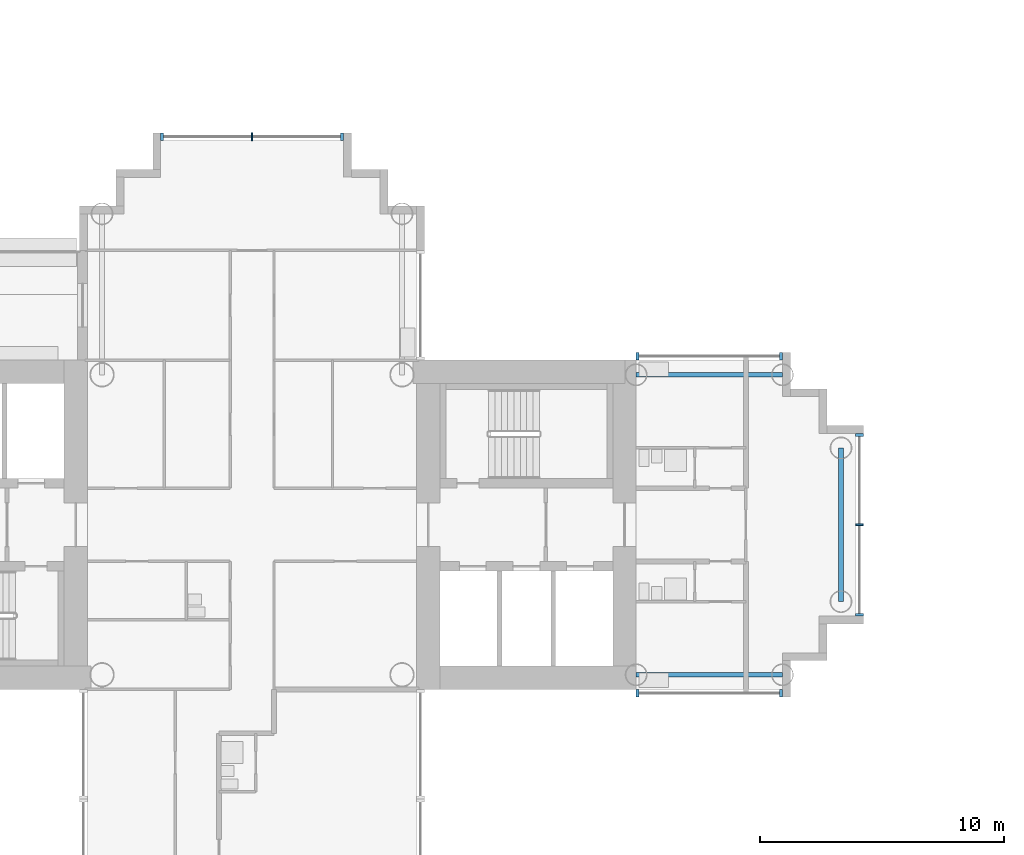
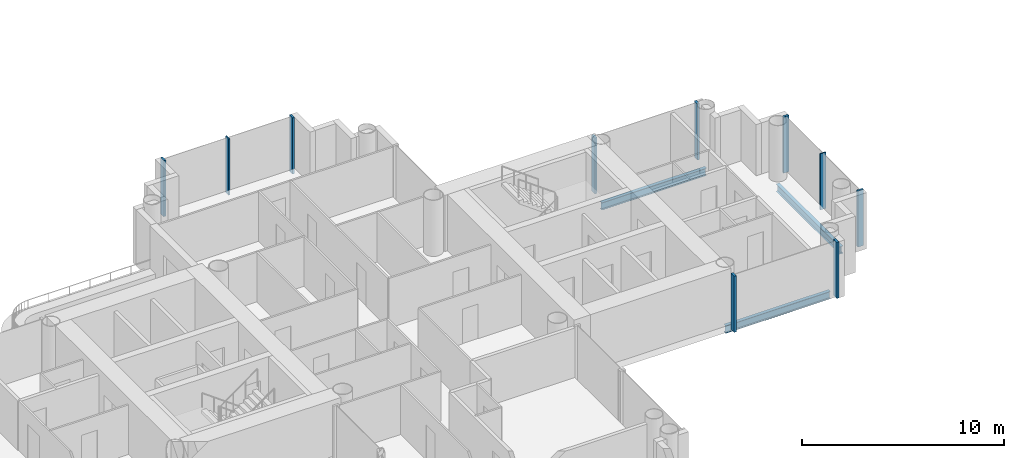
# One storey, part 4 of 21: 10 members, 3 beams, 4 elements without a shape of their own.
"""IFC4 building model written with IfcOpenShell, lengths in metres."""

from ifc_helpers import new_model, si_unit, direction, frame, origin, origin_2d, place, context, subcontext, project, spatial, rectangle, i_section, extrude, material, layer, layer_set, material_profile, profile_set, type_object, element, aggregate, save


model = new_model("IFC4")

# Units and contexts
model_context = context("Model", 3, precision=1e-05, world=origin(), true_north=direction((0.0, 1.0)))
body_context = subcontext(model_context, "Body", "Model", "MODEL_VIEW")
ifc_project = project(units=[si_unit("LENGTHUNIT", "METRE"), si_unit("AREAUNIT", "SQUARE_METRE"), si_unit("VOLUMEUNIT", "CUBIC_METRE"), si_unit("PLANEANGLEUNIT", "RADIAN"), si_unit("MASSUNIT", "GRAM", prefix="KILO")], contexts=[model_context])

# Site, building, storey
site_placement = place(None, origin())
site = spatial("IfcSite", under=ifc_project, at=site_placement, CompositionType="ELEMENT")
building_placement = place(site_placement, origin())
building = spatial("IfcBuilding", under=site, at=building_placement, Name="Ipe Terrace Towers", CompositionType="ELEMENT")
storey_placement = place(building_placement, frame((0.0, 0.0, 117.39990234375)))
storey = spatial("IfcBuildingStorey", under=building, at=storey_placement, Name="L32", CompositionType="ELEMENT", Elevation=117.39990234375)

# Beams
ifc_material_1 = material(Name="Steel S355", Category="steel")
ifc_material_profile_1 = material_profile(ifc_material_1, i_section(OverallWidth=0.199951171875, OverallDepth=0.449951171875, WebThickness=0.009033203125, FlangeThickness=0.013916015625, at=origin_2d()), Name="H-450x200x9x14")
ifc_profile_set_1 = profile_set([ifc_material_profile_1], Name="Steel S355")
beam_type = type_object("IfcBeamType", Name="H08 EDGE BEAM H-450x200x9x14", PredefinedType="BEAM", material=ifc_profile_set_1)
for number, where, z_axis, x_axis, name in (
    (1, (-20.25, -6.14990234375, -0.625), (1.0, 0.0, 0.0), (0.0, 1.0, 0.0), "Edge beam T1-EB-A01-A03"),
    (2, (-20.25, 6.14990234375, -0.625), (1.0, 0.0, 0.0), (0.0, 1.0, 0.0), "Edge beam T1-EB-A02-A04"),
):
    element("IfcBeam", number, at=place(storey_placement, frame(where, z_axis=z_axis, x_axis=x_axis)), inside=storey, type_object=beam_type, Name=name, PredefinedType="BEAM", context=body_context, shape_type="SweptSolid", body=[
        extrude(i_section(OverallWidth=0.199951171875, OverallDepth=0.449951171875, WebThickness=0.009033203125, FlangeThickness=0.013916015625, at=origin_2d()), origin(), (0.0, 0.0, 1.0), 6.0),
    ])
beam_placement = place(storey_placement, frame((-11.85009765625, -3.14990234375, -0.625), z_axis=(0.0, 1.0, 0.0), x_axis=(-1.0, 0.0, 0.0)))
element("IfcBeam", 3, at=beam_placement, inside=storey, type_object=beam_type, Name="Edge beam T1-EB-A05-A06", PredefinedType="BEAM", context=body_context, shape_type="SweptSolid", body=[
    extrude(i_section(OverallWidth=0.199951171875, OverallDepth=0.449951171875, WebThickness=0.009033203125, FlangeThickness=0.013916015625, at=origin_2d()), origin(), (0.0, 0.0, 1.0), 6.2998046875),
])

# Curtain wall, members
ifc_material_2 = material(Name="Aluminium alloy 6063-T6", Category="aluminium")
ifc_layer = layer(ifc_material_2, 0.320068359375)
ifc_layer_set = layer_set([ifc_layer], Name="TOWER UNITISED CURTAIN WALL")
curtain_wall_type = type_object("IfcCurtainWallType", Name="TOWER UNITISED CURTAIN WALL", PredefinedType="NOTDEFINED", material=ifc_layer_set)
curtain_wall_1_placement = place(storey_placement, origin())
curtain_wall_1 = element("IfcCurtainWall", 4, at=curtain_wall_1_placement, inside=storey, type_object=curtain_wall_type, Name="T1-CW-L32-20b curtain wall", PredefinedType="NOTDEFINED")
ifc_material_3 = material(Name="Aluminium alloy 6063-T6", Category="aluminium")
ifc_material_profile_2 = material_profile(ifc_material_3, rectangle(XDim=0.320068359375, YDim=0.1201171875, at=origin_2d()), Name="TOWER UNITISED CORNER MULLION 320 x 120")
ifc_profile_set_2 = profile_set([ifc_material_profile_2], Name="Aluminium alloy 6063-T6")
member_type_1 = type_object("IfcMemberType", Name="TOWER UNITISED CORNER MULLION 320 x 120", PredefinedType="MULLION", material=ifc_profile_set_2)
member_1_placement = place(storey_placement, frame((-20.18896484375, -6.909912109375, -0.2998046875), z_axis=(0.0, 0.0, 1.0), x_axis=(0.0, -1.0, 0.0)))
member_1 = element("IfcMember", 5, at=member_1_placement, type_object=member_type_1, Name="T1-CW-L32-20b mullion 1", PredefinedType="MULLION", context=body_context, shape_type="SweptSolid", body=[
    extrude(rectangle(XDim=0.320068359375, YDim=0.1201171875, at=origin_2d()), origin(), (0.0, 0.0, 1.0), 3.39990234375),
])
member_2_placement = place(storey_placement, frame((-14.31005859375, -6.909912109375, -0.2998046875), z_axis=(0.0, 0.0, 1.0), x_axis=(0.0, -1.0, 0.0)))
member_2 = element("IfcMember", 6, at=member_2_placement, type_object=member_type_1, Name="T1-CW-L32-20b mullion 2", PredefinedType="MULLION", context=body_context, shape_type="SweptSolid", body=[
    extrude(rectangle(XDim=0.320068359375, YDim=0.1201171875, at=origin_2d()), origin(), (0.0, 0.0, 1.0), 3.39990234375),
])
aggregate(curtain_wall_1, [member_1, member_2])

curtain_wall_2_placement = place(storey_placement, origin())
curtain_wall_2 = element("IfcCurtainWall", 7, at=curtain_wall_2_placement, inside=storey, type_object=curtain_wall_type, Name="T1-CW-L32-25a curtain wall", PredefinedType="NOTDEFINED")
member_3_placement = place(storey_placement, frame((-11.090087890625, -3.68994140625, -0.2998046875), z_axis=(0.0, 0.0, 1.0), x_axis=(1.0, 0.0, 0.0)))
member_3 = element("IfcMember", 8, at=member_3_placement, type_object=member_type_1, Name="T1-CW-L32-25a mullion 1", PredefinedType="MULLION", context=body_context, shape_type="SweptSolid", body=[
    extrude(rectangle(XDim=0.320068359375, YDim=0.1201171875, at=origin_2d()), origin(), (0.0, 0.0, 1.0), 3.39990234375),
])
member_4_placement = place(storey_placement, frame((-11.090087890625, 3.68994140625, -0.2998046875), z_axis=(0.0, 0.0, 1.0), x_axis=(1.0, 0.0, 0.0)))
member_4 = element("IfcMember", 9, at=member_4_placement, type_object=member_type_1, Name="T1-CW-L32-25a mullion 3", PredefinedType="MULLION", context=body_context, shape_type="SweptSolid", body=[
    extrude(rectangle(XDim=0.320068359375, YDim=0.1201171875, at=origin_2d()), origin(), (0.0, 0.0, 1.0), 3.39990234375),
])

curtain_wall_3_placement = place(storey_placement, origin())
curtain_wall_3 = element("IfcCurtainWall", 10, at=curtain_wall_3_placement, inside=storey, type_object=curtain_wall_type, Name="T1-CW-L32-30a curtain wall", PredefinedType="NOTDEFINED")
member_5_placement = place(storey_placement, frame((-14.31005859375, 6.909912109375, -0.2998046875), z_axis=(0.0, 0.0, 1.0), x_axis=(0.0, 1.0, 0.0)))
member_5 = element("IfcMember", 11, at=member_5_placement, type_object=member_type_1, Name="T1-CW-L32-30a mullion 1", PredefinedType="MULLION", context=body_context, shape_type="SweptSolid", body=[
    extrude(rectangle(XDim=0.320068359375, YDim=0.1201171875, at=origin_2d()), origin(), (0.0, 0.0, 1.0), 3.39990234375),
])
member_6_placement = place(storey_placement, frame((-20.18896484375, 6.909912109375, -0.2998046875), z_axis=(0.0, 0.0, 1.0), x_axis=(0.0, 1.0, 0.0)))
member_6 = element("IfcMember", 12, at=member_6_placement, type_object=member_type_1, Name="T1-CW-L32-30a mullion 2", PredefinedType="MULLION", context=body_context, shape_type="SweptSolid", body=[
    extrude(rectangle(XDim=0.320068359375, YDim=0.1201171875, at=origin_2d()), origin(), (0.0, 0.0, 1.0), 3.39990234375),
])
aggregate(curtain_wall_3, [member_5, member_6])

curtain_wall_4_placement = place(storey_placement, origin())
curtain_wall_4 = element("IfcCurtainWall", 13, at=curtain_wall_4_placement, inside=storey, type_object=curtain_wall_type, Name="T1-CW-L32-38a curtain wall", PredefinedType="NOTDEFINED")
member_7_placement = place(storey_placement, frame((-32.31005859375, 15.909912109375, -0.2998046875), z_axis=(0.0, 0.0, 1.0), x_axis=(0.0, 1.0, 0.0)))
member_7 = element("IfcMember", 14, at=member_7_placement, type_object=member_type_1, Name="T1-CW-L32-38a mullion 1", PredefinedType="MULLION", context=body_context, shape_type="SweptSolid", body=[
    extrude(rectangle(XDim=0.320068359375, YDim=0.1201171875, at=origin_2d()), origin(), (0.0, 0.0, 1.0), 3.39990234375),
])
member_8_placement = place(storey_placement, frame((-39.68994140625, 15.909912109375, -0.2998046875), z_axis=(0.0, 0.0, 1.0), x_axis=(0.0, 1.0, 0.0)))
member_8 = element("IfcMember", 15, at=member_8_placement, type_object=member_type_1, Name="T1-CW-L32-38a mullion 3", PredefinedType="MULLION", context=body_context, shape_type="SweptSolid", body=[
    extrude(rectangle(XDim=0.320068359375, YDim=0.1201171875, at=origin_2d()), origin(), (0.0, 0.0, 1.0), 3.39990234375),
])

# Member
ifc_material_4 = material(Name="Aluminium alloy 6063-T6", Category="aluminium")
ifc_material_profile_3 = material_profile(ifc_material_4, rectangle(XDim=0.320068359375, YDim=0.06494140625, at=origin_2d()), Name="TOWER UNITISED MULLION 320 x 65")
ifc_profile_set_3 = profile_set([ifc_material_profile_3], Name="Aluminium alloy 6063-T6")
member_type_2 = type_object("IfcMemberType", Name="TOWER UNITISED MULLION 320 x 65", PredefinedType="MULLION", material=ifc_profile_set_3)
member_9_placement = place(storey_placement, frame((-11.090087890625, 0.0, -0.2998046875), z_axis=(0.0, 0.0, 1.0), x_axis=(1.0, 0.0, 0.0)))
member_9 = element("IfcMember", 16, at=member_9_placement, type_object=member_type_2, Name="T1-CW-L32-25a mullion 2", PredefinedType="MULLION", context=body_context, shape_type="SweptSolid", body=[
    extrude(rectangle(XDim=0.320068359375, YDim=0.06494140625, at=origin_2d()), origin(), (0.0, 0.0, 1.0), 3.39990234375),
])

aggregate(curtain_wall_2, [member_3, member_9, member_4])

member_10_placement = place(storey_placement, frame((-36.0, 15.909912109375, -0.2998046875), z_axis=(0.0, 0.0, 1.0), x_axis=(0.0, 1.0, 0.0)))
member_10 = element("IfcMember", 17, at=member_10_placement, type_object=member_type_2, Name="T1-CW-L32-38a mullion 2", PredefinedType="MULLION", context=body_context, shape_type="SweptSolid", body=[
    extrude(rectangle(XDim=0.320068359375, YDim=0.06494140625, at=origin_2d()), origin(), (0.0, 0.0, 1.0), 3.39990234375),
])

aggregate(curtain_wall_4, [member_7, member_10, member_8])

save(model, "model.ifc")
